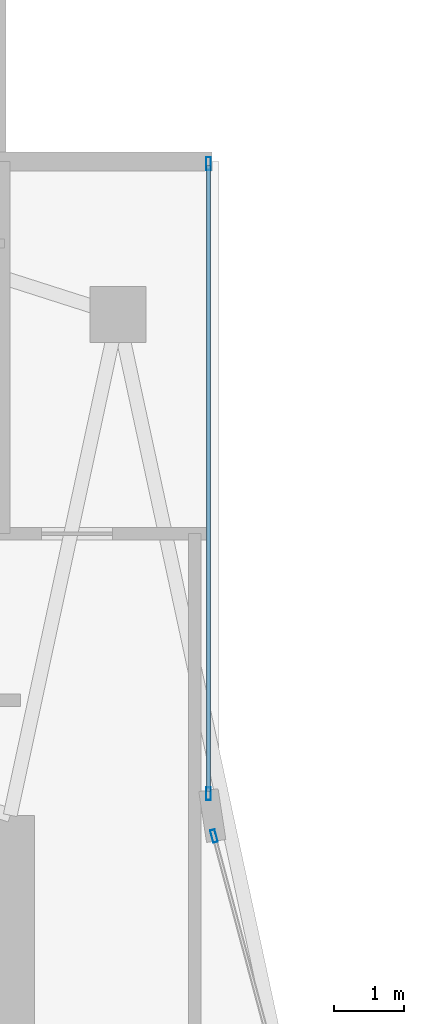
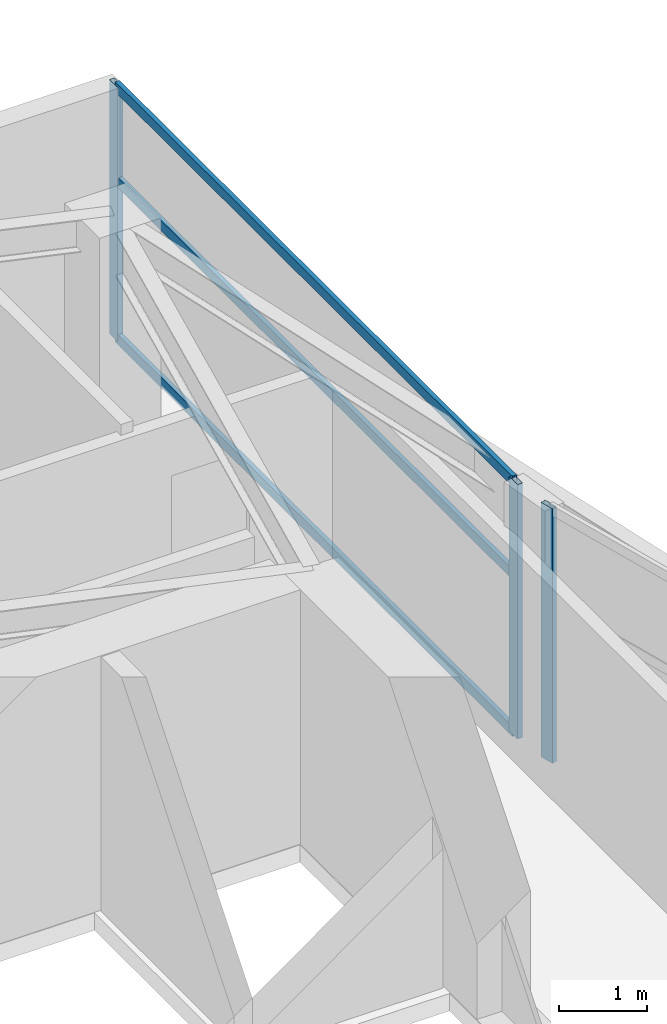
# One storey, part 18 of 27: 6 members, 2 elements without a shape of their own.
"""IFC4 building model written with IfcOpenShell, lengths in metres."""

from ifc_helpers import new_model, si_unit, direction, frame, origin, origin_2d, place, context, subcontext, project, spatial, hollow_rectangle, extrude, material, layer, layer_set, material_profile, profile_set, type_object, element, aggregate, save


model = new_model("IFC4")

# Units and contexts
model_context = context("Model", 3, precision=1e-05, world=origin(), true_north=direction((0.0, 1.0)))
body_context = subcontext(model_context, "Body", "Model", "MODEL_VIEW")
ifc_project = project(units=[si_unit("LENGTHUNIT", "METRE"), si_unit("AREAUNIT", "SQUARE_METRE"), si_unit("VOLUMEUNIT", "CUBIC_METRE"), si_unit("PLANEANGLEUNIT", "RADIAN"), si_unit("MASSUNIT", "GRAM", prefix="KILO")], contexts=[model_context])

# Site, building, storey
site_placement = place(None, origin())
site = spatial("IfcSite", under=ifc_project, at=site_placement, CompositionType="ELEMENT")
building_placement = place(site_placement, origin())
building = spatial("IfcBuilding", under=site, at=building_placement, Name="Calvorn Quay Hotel", CompositionType="ELEMENT")
storey_placement = place(building_placement, frame((0.0, 0.0, 230.699951171875)))
storey = spatial("IfcBuildingStorey", under=building, at=storey_placement, Name="L57", CompositionType="ELEMENT", Elevation=230.699951171875)

# Curtain wall, member
ifc_material_1 = material(Name="Champagne Bronze Anodised Aluminium and Low-E Glass", Category="aluminium")
ifc_layer = layer(ifc_material_1, 0.219970703125)
ifc_layer_set = layer_set([ifc_layer], Name="CW-SYS-Z3")
curtain_wall_type = type_object("IfcCurtainWallType", Name="CW-SYS-Z3", PredefinedType="NOTDEFINED", material=ifc_layer_set)
curtain_wall_1_placement = place(storey_placement, origin())
curtain_wall_1 = element("IfcCurtainWall", 1, at=curtain_wall_1_placement, inside=storey, type_object=curtain_wall_type, Name="Inner Court Curtain Wall L57-IC1", PredefinedType="NOTDEFINED")
ifc_material_2 = material(Name="Champagne Bronze Anodised Aluminium 6063-T6", Category="aluminium")
ifc_material_profile_1 = material_profile(ifc_material_2, hollow_rectangle(XDim=0.068115234375, YDim=0.18505859375, WallThickness=0.00390625, at=origin_2d()), Name="ALU-M185x68x4")
ifc_profile_set_1 = profile_set([ifc_material_profile_1], Name="Champagne Bronze Anodised Aluminium 6063-T6")
member_type_1 = type_object("IfcMemberType", Name="CW-SYS-Z3-MUL", PredefinedType="MULLION", material=ifc_profile_set_1)
member_1_placement = place(storey_placement, frame((17.9296875, 38.10107421875, 0.0), z_axis=(0.0, 0.0, 1.0), x_axis=(-0.96593652056, -0.25877913024, 0.0)))
member_1 = element("IfcMember", 2, at=member_1_placement, type_object=member_type_1, Name="CW-L57-IC1 mullion 2", PredefinedType="MULLION", context=body_context, shape_type="SweptSolid", body=[
    extrude(hollow_rectangle(XDim=0.068115234375, YDim=0.18505859375, WallThickness=0.00390625, at=origin_2d()), origin(), (0.0, 0.0, 1.0), 3.52001953125),
])
aggregate(curtain_wall_1, [member_1])

# Curtain wall, members
curtain_wall_2_placement = place(storey_placement, origin())
curtain_wall_2 = element("IfcCurtainWall", 3, at=curtain_wall_2_placement, inside=storey, type_object=curtain_wall_type, Name="Inner Court Curtain Wall L57-IC2", PredefinedType="NOTDEFINED")
member_2_placement = place(storey_placement, frame((17.85009765625, 38.7099609375, 0.0), z_axis=(0.0, 0.0, 1.0), x_axis=(-1.0, 0.0, 0.0)))
member_2 = element("IfcMember", 4, at=member_2_placement, type_object=member_type_1, Name="CW-L57-IC2 mullion 1", PredefinedType="MULLION", context=body_context, shape_type="SweptSolid", body=[
    extrude(hollow_rectangle(XDim=0.068115234375, YDim=0.18505859375, WallThickness=0.00390625, at=origin_2d()), origin(), (0.0, 0.0, 1.0), 3.52001953125),
])
member_3_placement = place(storey_placement, frame((17.85009765625, 47.77001953125, 0.0), z_axis=(0.0, 0.0, 1.0), x_axis=(-1.0, 0.0, 0.0)))
member_3 = element("IfcMember", 5, at=member_3_placement, type_object=member_type_1, Name="CW-L57-IC2 mullion 2", PredefinedType="MULLION", context=body_context, shape_type="SweptSolid", body=[
    extrude(hollow_rectangle(XDim=0.068115234375, YDim=0.18505859375, WallThickness=0.00390625, at=origin_2d()), origin(), (0.0, 0.0, 1.0), 3.52001953125),
])
ifc_material_3 = material(Name="Champagne Bronze Anodised Aluminium 6063-T6", Category="aluminium")
ifc_material_profile_2 = material_profile(ifc_material_3, hollow_rectangle(XDim=0.05810546875, YDim=0.139892578125, WallThickness=0.003173828125, at=origin_2d()), Name="ALU-T140x58x3.2")
ifc_profile_set_2 = profile_set([ifc_material_profile_2], Name="Champagne Bronze Anodised Aluminium 6063-T6")
member_type_2 = type_object("IfcMemberType", Name="CW-SYS-Z3-TRN", PredefinedType="USERDEFINED", material=ifc_profile_set_2)
member_4_placement = place(storey_placement, frame((17.85009765625, 38.739990234375, 0.030029296875), z_axis=(0.0, 1.0, 0.0), x_axis=(-1.0, 0.0, 0.0)))
member_4 = element("IfcMember", 6, at=member_4_placement, type_object=member_type_2, Name="CW-L57-IC2 transom 1.1", ObjectType="TRANSOM", PredefinedType="USERDEFINED", context=body_context, shape_type="SweptSolid", body=[
    extrude(hollow_rectangle(XDim=0.05810546875, YDim=0.139892578125, WallThickness=0.003173828125, at=origin_2d()), origin(), (0.0, 0.0, 1.0), 9.0),
])
member_5_placement = place(storey_placement, frame((17.85009765625, 38.739990234375, 2.199951171875), z_axis=(0.0, 1.0, 0.0), x_axis=(-1.0, 0.0, 0.0)))
member_5 = element("IfcMember", 7, at=member_5_placement, type_object=member_type_2, Name="CW-L57-IC2 transom 1.2", ObjectType="TRANSOM", PredefinedType="USERDEFINED", context=body_context, shape_type="SweptSolid", body=[
    extrude(hollow_rectangle(XDim=0.05810546875, YDim=0.139892578125, WallThickness=0.003173828125, at=origin_2d()), origin(), (0.0, 0.0, 1.0), 9.0),
])
member_6_placement = place(storey_placement, frame((17.85009765625, 38.739990234375, 3.489990234375), z_axis=(0.0, 1.0, 0.0), x_axis=(-1.0, 0.0, 0.0)))
member_6 = element("IfcMember", 8, at=member_6_placement, type_object=member_type_2, Name="CW-L57-IC2 transom 1.3", ObjectType="TRANSOM", PredefinedType="USERDEFINED", context=body_context, shape_type="SweptSolid", body=[
    extrude(hollow_rectangle(XDim=0.05810546875, YDim=0.139892578125, WallThickness=0.003173828125, at=origin_2d()), origin(), (0.0, 0.0, 1.0), 9.0),
])
aggregate(curtain_wall_2, [member_2, member_3, member_4, member_5, member_6])

save(model, "model.ifc")
